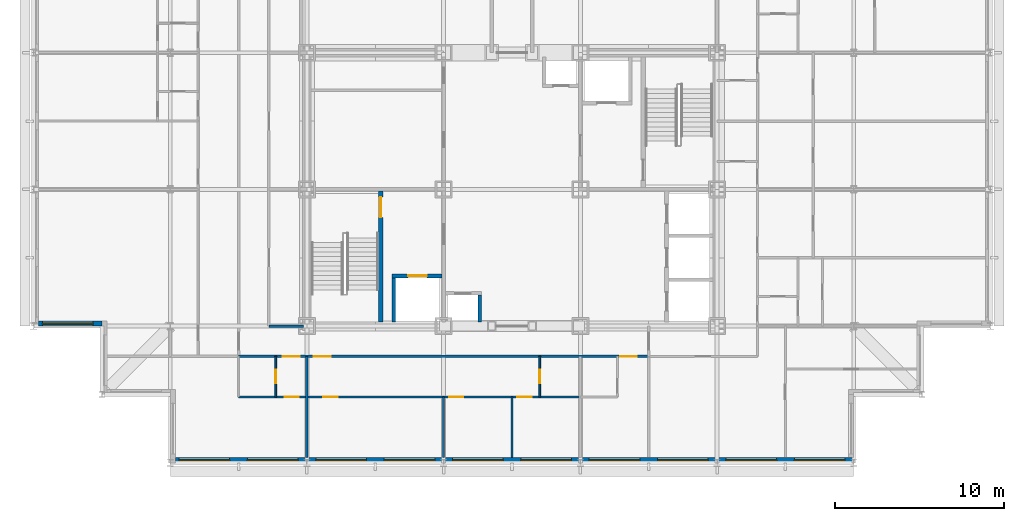
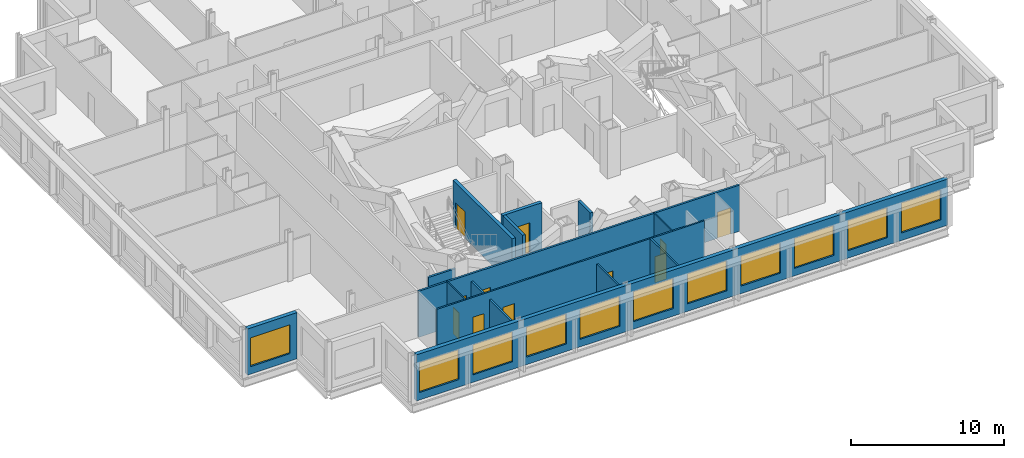
# One storey, part 7 of 15: 14 walls, 11 doors, 11 windows, 22 openings.
"""IFC4 building model written with IfcOpenShell, lengths in metres."""

import ifcopenshell
import ifcopenshell.guid

model = None  # the IFC model being written
_history = None  # IfcOwnerHistory: only IFC2X3 demands one
_inside = {}  # id of a spatial element -> (the spatial element, [elements in it])
_under = {}  # id of a project, library or spatial element -> (it, [spatial elements below it])
_declared = {}  # id of a project -> (the project, [libraries it declares])
_typed = {}  # id of a type object -> (the type object, [elements of that type])
_made_of = {}  # id of a material, layer set ... -> (it, [elements and type objects made of it])


def new_model(schema):
    """Start an empty IFC model of exactly this schema.

    Asked for "IFC4X3", IfcOpenShell would pick the latest addendum, in which some entities
    have other attributes; the version numbers below select the first issue.
    IFC2X3 requires an IfcOwnerHistory on every rooted entity: one is made here for all.
    """
    global model, _history
    if schema == "IFC4X3":
        model = ifcopenshell.file(schema_version=(4, 3, 0, 0))
    else:
        model = ifcopenshell.file(schema=schema)
    _inside.clear()
    _under.clear()
    _declared.clear()
    _typed.clear()
    _made_of.clear()
    _history = None
    if model.schema == "IFC2X3":
        org = make("IfcOrganization", Name="unknown")
        user = make(
            "IfcPersonAndOrganization",
            ThePerson=make("IfcPerson", FamilyName="unknown"),
            TheOrganization=org,
        )
        app = make(
            "IfcApplication",
            ApplicationDeveloper=org,
            Version="unknown",
            ApplicationFullName="unknown",
            ApplicationIdentifier="unknown",
        )
        _history = make(
            "IfcOwnerHistory",
            OwningUser=user,
            OwningApplication=app,
            ChangeAction="ADDED",
            CreationDate=0,
        )
    return model


def make(cls, **values):
    """One entity of the class cls with the attributes given. An attribute that is None is left unset."""
    return model.create_entity(
        cls, **{name: value for name, value in values.items() if value is not None}
    )


def rooted(cls, **values):
    """An entity with a GlobalId (a new one), such as an element, a storey or a relation."""
    return make(cls, GlobalId=ifcopenshell.guid.new(), OwnerHistory=_history, **values)


def si_unit(unit_type, name, prefix=None):
    """IfcSIUnit, for example si_unit("LENGTHUNIT", "METRE", prefix="MILLI")."""
    return make("IfcSIUnit", UnitType=unit_type, Prefix=prefix, Name=name)


def assignment(units):
    """IfcUnitAssignment: the units of a project."""
    return None if units is None else make("IfcUnitAssignment", Units=units)


def point(xyz):
    """IfcCartesianPoint."""
    return None if xyz is None else make("IfcCartesianPoint", Coordinates=xyz)


def direction(xyz):
    """IfcDirection."""
    return None if xyz is None else make("IfcDirection", DirectionRatios=xyz)


def frame(location, z_axis=None, x_axis=None):
    """IfcAxis2Placement3D, a coordinate frame: its origin and axes. An axis left out is left unset."""
    return make(
        "IfcAxis2Placement3D",
        Location=point(location),
        Axis=direction(z_axis),
        RefDirection=direction(x_axis),
    )


def frame_2d(location, x_axis=None):
    """IfcAxis2Placement2D, a coordinate frame in the plane: its origin and x axis."""
    return make(
        "IfcAxis2Placement2D", Location=point(location), RefDirection=direction(x_axis)
    )


def origin():
    """The frame at (0, 0, 0) with its axes left unset."""
    return frame((0.0, 0.0, 0.0))


def place(relative_to, where):
    """IfcLocalPlacement: puts the frame where relative to a parent placement (None: the world)."""
    return make(
        "IfcLocalPlacement", PlacementRelTo=relative_to, RelativePlacement=where
    )


def context(
    kind, dimensions, precision=None, world=None, true_north=None, identifier=None
):
    """IfcGeometricRepresentationContext, for example the 3D "Model" context."""
    return make(
        "IfcGeometricRepresentationContext",
        ContextIdentifier=identifier,
        ContextType=kind,
        CoordinateSpaceDimension=dimensions,
        Precision=precision,
        WorldCoordinateSystem=world,
        TrueNorth=true_north,
    )


def subcontext(parent, identifier, kind, view, scale=None):
    """IfcGeometricRepresentationSubContext, for example "Body" below "Model"."""
    return make(
        "IfcGeometricRepresentationSubContext",
        ContextIdentifier=identifier,
        ContextType=kind,
        ParentContext=parent,
        TargetScale=scale,
        TargetView=view,
    )


def project(units=None, contexts=None):
    """IfcProject with its units and contexts."""
    return rooted(
        "IfcProject",
        Name="project",
        RepresentationContexts=contexts,
        UnitsInContext=assignment(units),
    )


def spatial(cls, under=None, at=None, **own):
    """A site, building, storey or space (cls), placed at a placement, below another one or the project."""
    s = rooted(cls, ObjectPlacement=at, **own)
    if under is not None:
        _under.setdefault(under.id(), (under, []))[1].append(s)
    return s


def profile(cls, at=None, kind="AREA", **sizes):
    """A parametric profile (cls). Its sizes go by their IFC names, for example OverallWidth=200.0."""
    return make(cls, ProfileType=kind, Position=at, **sizes)


def rectangle(**sizes):
    """IfcRectangleProfileDef."""
    return profile("IfcRectangleProfileDef", **sizes)


def extrude(swept, where, along, depth):
    """IfcExtrudedAreaSolid: the profile swept, set in the frame where, extruded along a direction by depth."""
    return make(
        "IfcExtrudedAreaSolid",
        SweptArea=swept,
        Position=where,
        ExtrudedDirection=direction(along),
        Depth=depth,
    )


def shape(context_of_items, identifier, shape_type, items):
    """IfcShapeRepresentation: the items that make up one representation, for example the "Body"."""
    return make(
        "IfcShapeRepresentation",
        ContextOfItems=context_of_items,
        RepresentationIdentifier=identifier,
        RepresentationType=shape_type,
        Items=items,
    )


def material(Name=None, Category=None):
    """IfcMaterial."""
    return make("IfcMaterial", Name=Name, Category=Category)


def layer(
    of_material, thickness, ventilated=None, Name=None, Category=None, Priority=None
):
    """IfcMaterialLayer: one layer of a wall or slab, of a material (None: an air gap)."""
    return make(
        "IfcMaterialLayer",
        Material=of_material,
        LayerThickness=thickness,
        IsVentilated=ventilated,
        Name=Name,
        Category=Category,
        Priority=Priority,
    )


def layer_set(layers, Name=None):
    """IfcMaterialLayerSet."""
    return make("IfcMaterialLayerSet", MaterialLayers=layers, LayerSetName=Name)


def made_of(thing, what):
    """Note that an element or type object is made of a material, layer set ...; save() writes the relation."""
    if what is not None:
        _made_of.setdefault(what.id(), (what, []))[1].append(thing)
    return thing


def type_object(cls, material=None, **own):
    """A type object (cls), such as IfcWallType, which elements share."""
    return made_of(rooted(cls, **own), material)


def element(
    cls,
    number,
    at=None,
    inside=None,
    cuts=None,
    type_object=None,
    material=None,
    context=None,
    identifier="Body",
    shape_type=None,
    held_by="IfcProductDefinitionShape",
    body=None,
    shapes=None,
    **own,
):
    """One element of the class cls, such as IfcWall. Its Tag is "e" and its number.

    at: its placement. inside: the storey or other place that contains it. cuts: it is an
    opening in that element (IfcRelVoidsElement). A single representation is given by context,
    identifier, shape_type and body (its items); several are given by shapes. held_by: the class
    of the entity that holds the representations. save() writes the other relations.
    """
    e = rooted(cls, Tag="e%d" % number, ObjectPlacement=at, **own)
    if body is not None:
        shapes = [shape(context, identifier, shape_type, body)]
    if shapes is not None:
        e.Representation = make(held_by, Representations=shapes)
    if inside is not None:
        _inside.setdefault(inside.id(), (inside, []))[1].append(e)
    if cuts is not None:
        rooted(
            "IfcRelVoidsElement", RelatingBuildingElement=cuts, RelatedOpeningElement=e
        )
    if type_object is not None:
        _typed.setdefault(type_object.id(), (type_object, []))[1].append(e)
    return made_of(e, material)


def fill(opening, filler):
    """IfcRelFillsElement: the door or window that sits in an opening."""
    return rooted(
        "IfcRelFillsElement",
        RelatingOpeningElement=opening,
        RelatedBuildingElement=filler,
    )


def aggregate(whole, parts):
    """IfcRelAggregates: a whole, such as a stair, and the parts it consists of."""
    return rooted("IfcRelAggregates", RelatingObject=whole, RelatedObjects=parts)


def save(model, path):
    """Write the relations noted so far, then the file.

    IfcRelAggregates (storeys below a building ...), IfcRelContainedInSpatialStructure (elements
    in a storey), IfcRelDefinesByType, IfcRelAssociatesMaterial and IfcRelDeclares: one each for
    every whole, place, type object, material and project.
    """
    for whole, parts in _under.values():
        aggregate(whole, parts)
    for where, things in _inside.values():
        rooted(
            "IfcRelContainedInSpatialStructure",
            RelatedElements=things,
            RelatingStructure=where,
        )
    for kind, things in _typed.values():
        rooted("IfcRelDefinesByType", RelatedObjects=things, RelatingType=kind)
    for what, things in _made_of.values():
        rooted("IfcRelAssociatesMaterial", RelatedObjects=things, RelatingMaterial=what)
    for by, libraries in _declared.values():
        rooted("IfcRelDeclares", RelatingContext=by, RelatedDefinitions=libraries)
    model.write(path)


model = new_model("IFC4")

# Units and contexts
model_context = context("Model", 3, precision=1e-05, world=origin(), true_north=direction((0.0, 1.0)))
body_context = subcontext(model_context, "Body", "Model", "MODEL_VIEW")
ifc_project = project(units=[si_unit("LENGTHUNIT", "METRE"), si_unit("AREAUNIT", "SQUARE_METRE"), si_unit("VOLUMEUNIT", "CUBIC_METRE"), si_unit("PLANEANGLEUNIT", "RADIAN"), si_unit("MASSUNIT", "GRAM", prefix="KILO")], contexts=[model_context])

# Site, building, storey
site_placement = place(None, origin())
site = spatial("IfcSite", under=ifc_project, at=site_placement, CompositionType="ELEMENT")
building_placement = place(site_placement, origin())
building = spatial("IfcBuilding", under=site, at=building_placement, Name="Kopane Lantern Tower", CompositionType="ELEMENT")
storey_placement = place(building_placement, frame((0.0, 0.0, 289.199951171875)))
storey = spatial("IfcBuildingStorey", under=building, at=storey_placement, Name="L74", CompositionType="ELEMENT", Elevation=289.199951171875)

# Walls
ifc_material_1 = material(Name="Gypsum board on steel studs", Category="steel")
ifc_layer_1 = layer(ifc_material_1, 0.1201171875)
ifc_layer_set_1 = layer_set([ifc_layer_1], Name="APARTMENT INTERNAL WALL 120")
wall_type_1 = type_object("IfcWallType", Name="APARTMENT INTERNAL WALL 120", PredefinedType="PARTITIONING", material=ifc_layer_set_1)
wall_1_placement = place(storey_placement, frame((24.300048828125, 20.10009765625, 0.0), z_axis=(0.0, 0.0, 1.0), x_axis=(0.0, -1.0, 0.0)))
element("IfcWall", 1, at=wall_1_placement, inside=storey, type_object=wall_type_1, Name="Apartment Internal Wall 120 L74", PredefinedType="PARTITIONING", context=body_context, shape_type="SweptSolid", body=[
    extrude(rectangle(XDim=3.60009765625, YDim=0.1201171875, at=frame_2d((1.800048828125, 0.0))), origin(), (0.0, 0.0, 1.0), 3.077880859375),
])
wall_2_placement = place(storey_placement, frame((28.35009765625, 20.10009765625, 0.0), z_axis=(0.0, 0.0, 1.0), x_axis=(0.0, -1.0, 0.0)))
element("IfcWall", 2, at=wall_2_placement, inside=storey, type_object=wall_type_1, Name="Apartment Internal Wall 120 L74", PredefinedType="PARTITIONING", context=body_context, shape_type="SweptSolid", body=[
    extrude(rectangle(XDim=3.60009765625, YDim=0.1201171875, at=frame_2d((1.800048828125, 0.0))), origin(), (0.0, 0.0, 1.0), 3.68994140625),
])

# Wall, openings, doors
wall_3_placement = place(storey_placement, frame((12.14990234375, 20.10009765625, 0.0), z_axis=(0.0, 0.0, 1.0), x_axis=(1.0, 0.0, 0.0)))
wall_3 = element("IfcWall", 3, at=wall_3_placement, inside=storey, type_object=wall_type_1, Name="Apartment Internal Wall 120 L74", PredefinedType="PARTITIONING", context=body_context, shape_type="SweptSolid", body=[
    extrude(rectangle(XDim=20.25, YDim=0.1201171875, at=frame_2d((10.125, 0.0))), origin(), (0.0, 0.0, 1.0), 3.68994140625),
])
opening_1_placement = place(wall_3_placement, frame((5.02490234375, 0.0, 0.0)))
opening_1 = element("IfcOpeningElement", 4, at=opening_1_placement, cuts=wall_3, Name="Opening L74-008", PredefinedType="OPENING", context=body_context, shape_type="SweptSolid", body=[
    extrude(rectangle(XDim=0.85009765625, YDim=2.10009765625, at=frame_2d((0.425048828125, 1.050048828125))), frame((0.0, 0.070068359375, 0.0), z_axis=(0.0, -1.0, 0.0), x_axis=(1.0, 0.0, 0.0)), (0.0, 0.0, 1.0), 0.14013671875),
])
opening_2_placement = place(wall_3_placement, frame((12.47509765625, 0.0, 0.0)))
opening_2 = element("IfcOpeningElement", 5, at=opening_2_placement, cuts=wall_3, Name="Opening L74-009", PredefinedType="OPENING", context=body_context, shape_type="SweptSolid", body=[
    extrude(rectangle(XDim=0.85009765625, YDim=2.10009765625, at=frame_2d((0.425048828125, 1.050048828125))), frame((0.0, 0.070068359375, 0.0), z_axis=(0.0, -1.0, 0.0), x_axis=(1.0, 0.0, 0.0)), (0.0, 0.0, 1.0), 0.14013671875),
])
opening_3_placement = place(wall_3_placement, frame((16.52490234375, 0.0, 0.0)))
opening_3 = element("IfcOpeningElement", 6, at=opening_3_placement, cuts=wall_3, Name="Opening L74-010", PredefinedType="OPENING", context=body_context, shape_type="SweptSolid", body=[
    extrude(rectangle(XDim=0.85009765625, YDim=2.10009765625, at=frame_2d((0.425048828125, 1.050048828125))), frame((0.0, 0.070068359375, 0.0), z_axis=(0.0, -1.0, 0.0), x_axis=(1.0, 0.0, 0.0)), (0.0, 0.0, 1.0), 0.14013671875),
])
opening_4_placement = place(wall_3_placement, frame((2.72509765625, 0.0, 0.0)))
opening_4 = element("IfcOpeningElement", 7, at=opening_4_placement, cuts=wall_3, Name="Opening L74-032", PredefinedType="OPENING", context=body_context, shape_type="SweptSolid", body=[
    extrude(rectangle(XDim=0.85009765625, YDim=2.10009765625, at=frame_2d((0.425048828125, 1.050048828125))), frame((0.0, 0.070068359375, 0.0), z_axis=(0.0, -1.0, 0.0), x_axis=(1.0, 0.0, 0.0)), (0.0, 0.0, 1.0), 0.14013671875),
])
ifc_material_2 = material(Name="Timber door set", Category="wood")
door_type_1 = type_object("IfcDoorType", Name="DOOR D4 850x2100", OperationType="SINGLE_SWING_LEFT", PredefinedType="DOOR", material=ifc_material_2)
door_1_placement = place(opening_1_placement, origin())
door_1 = element("IfcDoor", 8, at=door_1_placement, inside=storey, type_object=door_type_1, Name="Door L74-008", OperationType="SINGLE_SWING_LEFT", OverallHeight=2.10009765625, OverallWidth=0.85009765625, PredefinedType="DOOR", context=body_context, shape_type="SweptSolid", body=[
    extrude(rectangle(XDim=0.85009765625, YDim=2.10009765625, at=frame_2d((0.425048828125, 1.050048828125))), frame((0.0, 0.02490234375, 0.0), z_axis=(0.0, -1.0, 0.0), x_axis=(1.0, 0.0, 0.0)), (0.0, 0.0, 1.0), 0.050048828125),
])
fill(opening_1, door_1)
door_2_placement = place(opening_2_placement, origin())
door_2 = element("IfcDoor", 9, at=door_2_placement, inside=storey, type_object=door_type_1, Name="Door L74-009", OperationType="SINGLE_SWING_RIGHT", OverallHeight=2.10009765625, OverallWidth=0.85009765625, PredefinedType="DOOR", context=body_context, shape_type="SweptSolid", body=[
    extrude(rectangle(XDim=0.85009765625, YDim=2.10009765625, at=frame_2d((0.425048828125, 1.050048828125))), frame((0.0, 0.02490234375, 0.0), z_axis=(0.0, -1.0, 0.0), x_axis=(1.0, 0.0, 0.0)), (0.0, 0.0, 1.0), 0.050048828125),
])
fill(opening_2, door_2)
door_3_placement = place(opening_3_placement, origin())
door_3 = element("IfcDoor", 10, at=door_3_placement, inside=storey, type_object=door_type_1, Name="Door L74-010", OperationType="SINGLE_SWING_RIGHT", OverallHeight=2.10009765625, OverallWidth=0.85009765625, PredefinedType="DOOR", context=body_context, shape_type="SweptSolid", body=[
    extrude(rectangle(XDim=0.85009765625, YDim=2.10009765625, at=frame_2d((0.425048828125, 1.050048828125))), frame((0.0, 0.02490234375, 0.0), z_axis=(0.0, -1.0, 0.0), x_axis=(1.0, 0.0, 0.0)), (0.0, 0.0, 1.0), 0.050048828125),
])
fill(opening_3, door_3)
door_4_placement = place(opening_4_placement, origin())
door_4 = element("IfcDoor", 11, at=door_4_placement, inside=storey, type_object=door_type_1, Name="Door L74-032", OperationType="SINGLE_SWING_LEFT", OverallHeight=2.10009765625, OverallWidth=0.85009765625, PredefinedType="DOOR", context=body_context, shape_type="SweptSolid", body=[
    extrude(rectangle(XDim=0.85009765625, YDim=2.10009765625, at=frame_2d((0.425048828125, 1.050048828125))), frame((0.0, 0.02490234375, 0.0), z_axis=(0.0, -1.0, 0.0), x_axis=(1.0, 0.0, 0.0)), (0.0, 0.0, 1.0), 0.050048828125),
])
fill(opening_4, door_4)

# Wall, opening, door
ifc_material_3 = material(Name="Moisture-resistant board on steel studs", Category="steel")
ifc_layer_2 = layer(ifc_material_3, 0.10009765625)
ifc_layer_set_2 = layer_set([ifc_layer_2], Name="BATHROOM WALL 100")
wall_type_2 = type_object("IfcWallType", Name="BATHROOM WALL 100", PredefinedType="PARTITIONING", material=ifc_layer_set_2)
wall_4_placement = place(storey_placement, frame((30.0, 22.5, 0.0), z_axis=(0.0, 0.0, 1.0), x_axis=(0.0, -1.0, 0.0)))
wall_4 = element("IfcWall", 12, at=wall_4_placement, inside=storey, type_object=wall_type_2, Name="Bathroom Wall 100 L74", PredefinedType="PARTITIONING", context=body_context, shape_type="SweptSolid", body=[
    extrude(rectangle(XDim=2.39990234375, YDim=0.10009765625, at=frame_2d((1.199951171875, 0.0))), origin(), (0.0, 0.0, 1.0), 3.68994140625),
])
opening_5_placement = place(wall_4_placement, frame((0.800048828125, 0.0, 0.0)))
opening_5 = element("IfcOpeningElement", 13, at=opening_5_placement, cuts=wall_4, Name="Opening L74-006", PredefinedType="OPENING", context=body_context, shape_type="SweptSolid", body=[
    extrude(rectangle(XDim=0.800048828125, YDim=2.10009765625, at=frame_2d((0.39990234375, 1.050048828125))), frame((0.0, 0.06005859375, 0.0), z_axis=(0.0, -1.0, 0.0), x_axis=(1.0, 0.0, 0.0)), (0.0, 0.0, 1.0), 0.1201171875),
])
ifc_material_4 = material(Name="Timber door set", Category="wood")
door_type_2 = type_object("IfcDoorType", Name="DOOR D2 800x2100", OperationType="SINGLE_SWING_LEFT", PredefinedType="DOOR", material=ifc_material_4)
door_5_placement = place(opening_5_placement, origin())
door_5 = element("IfcDoor", 14, at=door_5_placement, inside=storey, type_object=door_type_2, Name="Door L74-006", OperationType="SINGLE_SWING_LEFT", OverallHeight=2.10009765625, OverallWidth=0.800048828125, PredefinedType="DOOR", context=body_context, shape_type="SweptSolid", body=[
    extrude(rectangle(XDim=0.800048828125, YDim=2.10009765625, at=frame_2d((0.39990234375, 1.050048828125))), frame((0.0, 0.02490234375, 0.0), z_axis=(0.0, -1.0, 0.0), x_axis=(1.0, 0.0, 0.0)), (0.0, 0.0, 1.0), 0.050048828125),
])
fill(opening_5, door_5)

wall_5_placement = place(storey_placement, frame((14.35009765625, 22.5, 0.0), z_axis=(0.0, 0.0, 1.0), x_axis=(0.0, -1.0, 0.0)))
wall_5 = element("IfcWall", 15, at=wall_5_placement, inside=storey, type_object=wall_type_2, Name="Bathroom Wall 100 L74", PredefinedType="PARTITIONING", context=body_context, shape_type="SweptSolid", body=[
    extrude(rectangle(XDim=2.39990234375, YDim=0.10009765625, at=frame_2d((1.199951171875, 0.0))), origin(), (0.0, 0.0, 1.0), 3.68994140625),
])
opening_6_placement = place(wall_5_placement, frame((0.800048828125, 0.0, 0.0)))
opening_6 = element("IfcOpeningElement", 16, at=opening_6_placement, cuts=wall_5, Name="Opening L74-030", PredefinedType="OPENING", context=body_context, shape_type="SweptSolid", body=[
    extrude(rectangle(XDim=0.800048828125, YDim=2.10009765625, at=frame_2d((0.39990234375, 1.050048828125))), frame((0.0, 0.06005859375, 0.0), z_axis=(0.0, -1.0, 0.0), x_axis=(1.0, 0.0, 0.0)), (0.0, 0.0, 1.0), 0.1201171875),
])
door_6_placement = place(opening_6_placement, origin())
door_6 = element("IfcDoor", 17, at=door_6_placement, inside=storey, type_object=door_type_2, Name="Door L74-030", OperationType="SINGLE_SWING_RIGHT", OverallHeight=2.10009765625, OverallWidth=0.800048828125, PredefinedType="DOOR", context=body_context, shape_type="SweptSolid", body=[
    extrude(rectangle(XDim=0.800048828125, YDim=2.10009765625, at=frame_2d((0.39990234375, 1.050048828125))), frame((0.0, 0.02490234375, 0.0), z_axis=(0.0, -1.0, 0.0), x_axis=(1.0, 0.0, 0.0)), (0.0, 0.0, 1.0), 0.050048828125),
])
fill(opening_6, door_6)

ifc_material_5 = material(Name="Gypsum shaft wall EI 120", Category="gypsum")
ifc_layer_3 = layer(ifc_material_5, 0.25)
ifc_layer_set_3 = layer_set([ifc_layer_3], Name="CORE SHAFT WALL 250 EI 120")
wall_type_3 = type_object("IfcWallType", Name="CORE SHAFT WALL 250 EI 120", PredefinedType="SOLIDWALL", material=ifc_layer_set_3)
wall_6_placement = place(storey_placement, frame((20.574951171875, 24.550048828125, 0.0), z_axis=(0.0, 0.0, 1.0), x_axis=(0.0, 1.0, 0.0)))
wall_6 = element("IfcWall", 18, at=wall_6_placement, inside=storey, type_object=wall_type_3, Name="Core shaft wall L74 XST1", PredefinedType="SOLIDWALL", context=body_context, shape_type="SweptSolid", body=[
    extrude(rectangle(XDim=7.75, YDim=0.25, at=frame_2d((3.875, 0.0))), origin(), (0.0, 0.0, 1.0), 3.68994140625),
])
opening_7_placement = place(wall_6_placement, frame((6.199951171875, 0.0, 0.0)))
opening_7 = element("IfcOpeningElement", 19, at=opening_7_placement, cuts=wall_6, Name="Opening 74.SD1", PredefinedType="OPENING", context=body_context, shape_type="SweptSolid", body=[
    extrude(rectangle(XDim=1.199951171875, YDim=2.10009765625, at=frame_2d((0.60009765625, 1.050048828125))), frame((0.0, 0.135009765625, 0.0), z_axis=(0.0, -1.0, 0.0), x_axis=(1.0, 0.0, 0.0)), (0.0, 0.0, 1.0), 0.27001953125),
])
ifc_material_6 = material(Name="Steel door set", Category="steel")
door_type_3 = type_object("IfcDoorType", Name="STAIR DOOR 1200x2100 FD60S", OperationType="SINGLE_SWING_LEFT", PredefinedType="DOOR", material=ifc_material_6)
door_7_placement = place(opening_7_placement, origin())
door_7 = element("IfcDoor", 20, at=door_7_placement, inside=storey, type_object=door_type_3, Name="Stair door ST1 L74", OperationType="SINGLE_SWING_LEFT", OverallHeight=2.10009765625, OverallWidth=1.199951171875, PredefinedType="DOOR", context=body_context, shape_type="SweptSolid", body=[
    extrude(rectangle(XDim=1.199951171875, YDim=2.10009765625, at=frame_2d((0.60009765625, 1.050048828125))), frame((0.0, 0.02490234375, 0.0), z_axis=(0.0, -1.0, 0.0), x_axis=(1.0, 0.0, 0.0)), (0.0, 0.0, 1.0), 0.050048828125),
])
fill(opening_7, door_7)

wall_7_placement = place(storey_placement, frame((21.25, 27.27490234375, 0.0), z_axis=(0.0, 0.0, 1.0), x_axis=(1.0, 0.0, 0.0)))
wall_7 = element("IfcWall", 21, at=wall_7_placement, inside=storey, type_object=wall_type_3, Name="Core shaft wall L74 YLF1", PredefinedType="SOLIDWALL", context=body_context, shape_type="SweptSolid", body=[
    extrude(rectangle(XDim=2.949951171875, YDim=0.25, at=frame_2d((1.47509765625, 0.0))), origin(), (0.0, 0.0, 1.0), 3.68994140625),
])
opening_8_placement = place(wall_7_placement, frame((0.949951171875, 0.0, 0.0)))
opening_8 = element("IfcOpeningElement", 22, at=opening_8_placement, cuts=wall_7, Name="Opening 74.LD-LF1", PredefinedType="OPENING", context=body_context, shape_type="SweptSolid", body=[
    extrude(rectangle(XDim=1.10009765625, YDim=2.39990234375, at=frame_2d((0.550048828125, 1.199951171875))), frame((0.0, 0.135009765625, 0.0), z_axis=(0.0, -1.0, 0.0), x_axis=(1.0, 0.0, 0.0)), (0.0, 0.0, 1.0), 0.27001953125),
])
ifc_material_7 = material(Name="Steel door set", Category="steel")
door_type_4 = type_object("IfcDoorType", Name="LIFT LANDING DOOR 1100x2400 FD60", OperationType="DOUBLE_DOOR_SLIDING", PredefinedType="DOOR", material=ifc_material_7)
door_8_placement = place(opening_8_placement, origin())
door_8 = element("IfcDoor", 23, at=door_8_placement, inside=storey, type_object=door_type_4, Name="Landing door LF1 L74", OperationType="DOUBLE_DOOR_SLIDING", OverallHeight=2.39990234375, OverallWidth=1.10009765625, PredefinedType="DOOR", context=body_context, shape_type="SweptSolid", body=[
    extrude(rectangle(XDim=1.10009765625, YDim=2.39990234375, at=frame_2d((0.550048828125, 1.199951171875))), frame((0.0, 0.02490234375, 0.0), z_axis=(0.0, -1.0, 0.0), x_axis=(1.0, 0.0, 0.0)), (0.0, 0.0, 1.0), 0.050048828125),
])
fill(opening_8, door_8)

# Wall, openings, doors
ifc_material_8 = material(Name="Gypsum board on steel studs", Category="steel")
ifc_layer_4 = layer(ifc_material_8, 0.14990234375)
ifc_layer_set_4 = layer_set([ifc_layer_4], Name="CORRIDOR WALL 150 EI 60")
wall_type_4 = type_object("IfcWallType", Name="CORRIDOR WALL 150 EI 60", PredefinedType="PARTITIONING", material=ifc_layer_set_4)
wall_8_placement = place(storey_placement, frame((12.14990234375, 22.5, 0.0), z_axis=(0.0, 0.0, 1.0), x_axis=(1.0, 0.0, 0.0)))
wall_8 = element("IfcWall", 24, at=wall_8_placement, inside=storey, type_object=wall_type_4, Name="Corridor Wall 150 Ei 60 L74", PredefinedType="PARTITIONING", context=body_context, shape_type="SweptSolid", body=[
    extrude(rectangle(XDim=24.300048828125, YDim=0.14990234375, at=frame_2d((12.14990234375, 0.0))), origin(), (0.0, 0.0, 1.0), 3.68994140625),
])
opening_9_placement = place(wall_8_placement, frame((4.449951171875, 0.0, 0.0)))
opening_9 = element("IfcOpeningElement", 25, at=opening_9_placement, cuts=wall_8, Name="Opening L74-007", PredefinedType="OPENING", context=body_context, shape_type="SweptSolid", body=[
    extrude(rectangle(XDim=1.0, YDim=2.10009765625, at=frame_2d((0.5, 1.050048828125))), frame((0.0, 0.0849609375, 0.0), z_axis=(0.0, -1.0, 0.0), x_axis=(1.0, 0.0, 0.0)), (0.0, 0.0, 1.0), 0.169921875),
])
opening_10_placement = place(wall_8_placement, frame((22.60009765625, 0.0, 0.0)))
opening_10 = element("IfcOpeningElement", 26, at=opening_10_placement, cuts=wall_8, Name="Opening L74-012", PredefinedType="OPENING", context=body_context, shape_type="SweptSolid", body=[
    extrude(rectangle(XDim=1.0, YDim=2.10009765625, at=frame_2d((0.5, 1.050048828125))), frame((0.0, 0.0849609375, 0.0), z_axis=(0.0, -1.0, 0.0), x_axis=(1.0, 0.0, 0.0)), (0.0, 0.0, 1.0), 0.169921875),
])
opening_11_placement = place(wall_8_placement, frame((2.625, 0.0, 0.0)))
opening_11 = element("IfcOpeningElement", 27, at=opening_11_placement, cuts=wall_8, Name="Opening L74-031", PredefinedType="OPENING", context=body_context, shape_type="SweptSolid", body=[
    extrude(rectangle(XDim=1.0, YDim=2.10009765625, at=frame_2d((0.5, 1.050048828125))), frame((0.0, 0.0849609375, 0.0), z_axis=(0.0, -1.0, 0.0), x_axis=(1.0, 0.0, 0.0)), (0.0, 0.0, 1.0), 0.169921875),
])
ifc_material_9 = material(Name="Steel door set", Category="steel")
door_type_5 = type_object("IfcDoorType", Name="DOOR D3 1000x2100 FD30S", OperationType="SINGLE_SWING_LEFT", PredefinedType="DOOR", material=ifc_material_9)
door_9_placement = place(opening_9_placement, origin())
door_9 = element("IfcDoor", 28, at=door_9_placement, inside=storey, type_object=door_type_5, Name="Door L74-007", OperationType="SINGLE_SWING_RIGHT", OverallHeight=2.10009765625, OverallWidth=1.0, PredefinedType="DOOR", context=body_context, shape_type="SweptSolid", body=[
    extrude(rectangle(XDim=1.0, YDim=2.10009765625, at=frame_2d((0.5, 1.050048828125))), frame((0.0, 0.02490234375, 0.0), z_axis=(0.0, -1.0, 0.0), x_axis=(1.0, 0.0, 0.0)), (0.0, 0.0, 1.0), 0.050048828125),
])
fill(opening_9, door_9)
door_10_placement = place(opening_10_placement, origin())
door_10 = element("IfcDoor", 29, at=door_10_placement, inside=storey, type_object=door_type_5, Name="Door L74-012", OperationType="SINGLE_SWING_RIGHT", OverallHeight=2.10009765625, OverallWidth=1.0, PredefinedType="DOOR", context=body_context, shape_type="SweptSolid", body=[
    extrude(rectangle(XDim=1.0, YDim=2.10009765625, at=frame_2d((0.5, 1.050048828125))), frame((0.0, 0.02490234375, 0.0), z_axis=(0.0, -1.0, 0.0), x_axis=(1.0, 0.0, 0.0)), (0.0, 0.0, 1.0), 0.050048828125),
])
fill(opening_10, door_10)
door_11_placement = place(opening_11_placement, origin())
door_11 = element("IfcDoor", 30, at=door_11_placement, inside=storey, type_object=door_type_5, Name="Door L74-031", OperationType="SINGLE_SWING_RIGHT", OverallHeight=2.10009765625, OverallWidth=1.0, PredefinedType="DOOR", context=body_context, shape_type="SweptSolid", body=[
    extrude(rectangle(XDim=1.0, YDim=2.10009765625, at=frame_2d((0.5, 1.050048828125))), frame((0.0, 0.02490234375, 0.0), z_axis=(0.0, -1.0, 0.0), x_axis=(1.0, 0.0, 0.0)), (0.0, 0.0, 1.0), 0.050048828125),
])
fill(opening_11, door_11)

# Walls
wall_9_placement = place(storey_placement, frame((16.0, 24.300048828125, 0.0), z_axis=(0.0, 0.0, 1.0), x_axis=(-1.0, 0.0, 0.0)))
element("IfcWall", 31, at=wall_9_placement, inside=storey, type_object=wall_type_4, Name="Corridor Wall 150 Ei 60 L74", PredefinedType="PARTITIONING", context=body_context, shape_type="SweptSolid", body=[
    extrude(rectangle(XDim=2.050048828125, YDim=0.14990234375, at=frame_2d((1.02490234375, 0.0))), origin(), (0.0, 0.0, 1.0), 3.077880859375),
])
ifc_material_10 = material(Name="Gypsum board on steel studs", Category="steel")
ifc_layer_5 = layer(ifc_material_10, 0.14990234375)
ifc_layer_set_5 = layer_set([ifc_layer_5], Name="DEMISING WALL 150 EI 60")
wall_type_5 = type_object("IfcWallType", Name="DEMISING WALL 150 EI 60", PredefinedType="PARTITIONING", material=ifc_layer_set_5)
wall_10_placement = place(storey_placement, frame((16.199951171875, 22.5, 0.0), z_axis=(0.0, 0.0, 1.0), x_axis=(0.0, -1.0, 0.0)))
element("IfcWall", 32, at=wall_10_placement, inside=storey, type_object=wall_type_5, Name="Demising Wall 150 Ei 60 L74", PredefinedType="PARTITIONING", context=body_context, shape_type="SweptSolid", body=[
    extrude(rectangle(XDim=6.0, YDim=0.14990234375, at=frame_2d((3.0, 0.0))), origin(), (0.0, 0.0, 1.0), 3.077880859375),
])

# Wall, openings, windows
ifc_material_11 = material(Name="Terracotta rainscreen on light steel framing", Category="masonry")
ifc_layer_6 = layer(ifc_material_11, 0.300048828125)
ifc_layer_set_6 = layer_set([ifc_layer_6], Name="EXTERNAL WALL EW1 300 TERRACOTTA")
wall_type_6 = type_object("IfcWallType", Name="EXTERNAL WALL EW1 300 TERRACOTTA", PredefinedType="SOLIDWALL", material=ifc_layer_set_6)
wall_11_placement = place(storey_placement, frame((8.39990234375, 16.35009765625, 0.0), z_axis=(0.0, 0.0, 1.0), x_axis=(1.0, 0.0, 0.0)))
wall_11 = element("IfcWall", 33, at=wall_11_placement, inside=storey, type_object=wall_type_6, Name="External wall S L74", PredefinedType="SOLIDWALL", context=body_context, shape_type="SweptSolid", body=[
    extrude(rectangle(XDim=40.2001953125, YDim=0.300048828125, at=frame_2d((20.10009765625, 0.0))), origin(), (0.0, 0.0, 1.0), 3.68994140625),
])
opening_12_placement = place(wall_11_placement, frame((0.22509765625, 0.0, 0.60009765625)))
opening_12 = element("IfcOpeningElement", 34, at=opening_12_placement, cuts=wall_11, Name="Opening WR300240", PredefinedType="OPENING", context=body_context, shape_type="SweptSolid", body=[
    extrude(rectangle(XDim=3.0, YDim=2.39990234375, at=frame_2d((1.5, 1.199951171875))), frame((0.0, 0.159912109375, 0.0), z_axis=(0.0, -1.0, 0.0), x_axis=(1.0, 0.0, 0.0)), (0.0, 0.0, 1.0), 0.320068359375),
])
opening_13_placement = place(wall_11_placement, frame((4.27490234375, 0.0, 0.60009765625)))
opening_13 = element("IfcOpeningElement", 35, at=opening_13_placement, cuts=wall_11, Name="Opening WR300240", PredefinedType="OPENING", context=body_context, shape_type="SweptSolid", body=[
    extrude(rectangle(XDim=3.0, YDim=2.39990234375, at=frame_2d((1.5, 1.199951171875))), frame((0.0, 0.159912109375, 0.0), z_axis=(0.0, -1.0, 0.0), x_axis=(1.0, 0.0, 0.0)), (0.0, 0.0, 1.0), 0.320068359375),
])
opening_14_placement = place(wall_11_placement, frame((8.324951171875, 0.0, 0.60009765625)))
opening_14 = element("IfcOpeningElement", 36, at=opening_14_placement, cuts=wall_11, Name="Opening WR300240", PredefinedType="OPENING", context=body_context, shape_type="SweptSolid", body=[
    extrude(rectangle(XDim=3.0, YDim=2.39990234375, at=frame_2d((1.5, 1.199951171875))), frame((0.0, 0.159912109375, 0.0), z_axis=(0.0, -1.0, 0.0), x_axis=(1.0, 0.0, 0.0)), (0.0, 0.0, 1.0), 0.320068359375),
])
opening_15_placement = place(wall_11_placement, frame((12.375, 0.0, 0.60009765625)))
opening_15 = element("IfcOpeningElement", 37, at=opening_15_placement, cuts=wall_11, Name="Opening WR300240", PredefinedType="OPENING", context=body_context, shape_type="SweptSolid", body=[
    extrude(rectangle(XDim=3.0, YDim=2.39990234375, at=frame_2d((1.5, 1.199951171875))), frame((0.0, 0.159912109375, 0.0), z_axis=(0.0, -1.0, 0.0), x_axis=(1.0, 0.0, 0.0)), (0.0, 0.0, 1.0), 0.320068359375),
])
opening_16_placement = place(wall_11_placement, frame((16.425048828125, 0.0, 0.60009765625)))
opening_16 = element("IfcOpeningElement", 38, at=opening_16_placement, cuts=wall_11, Name="Opening WR300240", PredefinedType="OPENING", context=body_context, shape_type="SweptSolid", body=[
    extrude(rectangle(XDim=3.0, YDim=2.39990234375, at=frame_2d((1.5, 1.199951171875))), frame((0.0, 0.159912109375, 0.0), z_axis=(0.0, -1.0, 0.0), x_axis=(1.0, 0.0, 0.0)), (0.0, 0.0, 1.0), 0.320068359375),
])
opening_17_placement = place(wall_11_placement, frame((20.47509765625, 0.0, 0.60009765625)))
opening_17 = element("IfcOpeningElement", 39, at=opening_17_placement, cuts=wall_11, Name="Opening WR300240", PredefinedType="OPENING", context=body_context, shape_type="SweptSolid", body=[
    extrude(rectangle(XDim=3.0, YDim=2.39990234375, at=frame_2d((1.5, 1.199951171875))), frame((0.0, 0.159912109375, 0.0), z_axis=(0.0, -1.0, 0.0), x_axis=(1.0, 0.0, 0.0)), (0.0, 0.0, 1.0), 0.320068359375),
])
opening_18_placement = place(wall_11_placement, frame((24.52490234375, 0.0, 0.60009765625)))
opening_18 = element("IfcOpeningElement", 40, at=opening_18_placement, cuts=wall_11, Name="Opening WR300240", PredefinedType="OPENING", context=body_context, shape_type="SweptSolid", body=[
    extrude(rectangle(XDim=3.0, YDim=2.39990234375, at=frame_2d((1.5, 1.199951171875))), frame((0.0, 0.159912109375, 0.0), z_axis=(0.0, -1.0, 0.0), x_axis=(1.0, 0.0, 0.0)), (0.0, 0.0, 1.0), 0.320068359375),
])
opening_19_placement = place(wall_11_placement, frame((28.574951171875, 0.0, 0.60009765625)))
opening_19 = element("IfcOpeningElement", 41, at=opening_19_placement, cuts=wall_11, Name="Opening WR300240", PredefinedType="OPENING", context=body_context, shape_type="SweptSolid", body=[
    extrude(rectangle(XDim=3.0, YDim=2.39990234375, at=frame_2d((1.5, 1.199951171875))), frame((0.0, 0.159912109375, 0.0), z_axis=(0.0, -1.0, 0.0), x_axis=(1.0, 0.0, 0.0)), (0.0, 0.0, 1.0), 0.320068359375),
])
opening_20_placement = place(wall_11_placement, frame((32.625, 0.0, 0.60009765625)))
opening_20 = element("IfcOpeningElement", 42, at=opening_20_placement, cuts=wall_11, Name="Opening WR300240", PredefinedType="OPENING", context=body_context, shape_type="SweptSolid", body=[
    extrude(rectangle(XDim=3.0, YDim=2.39990234375, at=frame_2d((1.5, 1.199951171875))), frame((0.0, 0.159912109375, 0.0), z_axis=(0.0, -1.0, 0.0), x_axis=(1.0, 0.0, 0.0)), (0.0, 0.0, 1.0), 0.320068359375),
])
opening_21_placement = place(wall_11_placement, frame((36.675048828125, 0.0, 0.60009765625)))
opening_21 = element("IfcOpeningElement", 43, at=opening_21_placement, cuts=wall_11, Name="Opening WR300240", PredefinedType="OPENING", context=body_context, shape_type="SweptSolid", body=[
    extrude(rectangle(XDim=3.0, YDim=2.39990234375, at=frame_2d((1.5, 1.199951171875))), frame((0.0, 0.159912109375, 0.0), z_axis=(0.0, -1.0, 0.0), x_axis=(1.0, 0.0, 0.0)), (0.0, 0.0, 1.0), 0.320068359375),
])
ifc_material_12 = material(Name="Aluminium and clear glass", Category="aluminium")
window_type_1 = type_object("IfcWindowType", Name="RIBBON WINDOW WR300240 3000x2400", PartitioningType="SINGLE_PANEL", PredefinedType="WINDOW", material=ifc_material_12)
window_1_placement = place(opening_12_placement, origin())
window_1 = element("IfcWindow", 44, at=window_1_placement, inside=storey, type_object=window_type_1, Name="Window S L74", OverallHeight=2.39990234375, OverallWidth=3.0, PartitioningType="SINGLE_PANEL", PredefinedType="WINDOW", context=body_context, shape_type="SweptSolid", body=[
    extrude(rectangle(XDim=3.0, YDim=2.39990234375, at=frame_2d((1.5, 1.199951171875))), frame((0.0, 0.030029296875, 0.0), z_axis=(0.0, -1.0, 0.0), x_axis=(1.0, 0.0, 0.0)), (0.0, 0.0, 1.0), 0.06005859375),
])
fill(opening_12, window_1)
window_2_placement = place(opening_13_placement, origin())
window_2 = element("IfcWindow", 45, at=window_2_placement, inside=storey, type_object=window_type_1, Name="Window S L74", OverallHeight=2.39990234375, OverallWidth=3.0, PartitioningType="SINGLE_PANEL", PredefinedType="WINDOW", context=body_context, shape_type="SweptSolid", body=[
    extrude(rectangle(XDim=3.0, YDim=2.39990234375, at=frame_2d((1.5, 1.199951171875))), frame((0.0, 0.030029296875, 0.0), z_axis=(0.0, -1.0, 0.0), x_axis=(1.0, 0.0, 0.0)), (0.0, 0.0, 1.0), 0.06005859375),
])
fill(opening_13, window_2)
window_3_placement = place(opening_14_placement, origin())
window_3 = element("IfcWindow", 46, at=window_3_placement, inside=storey, type_object=window_type_1, Name="Window S L74", OverallHeight=2.39990234375, OverallWidth=3.0, PartitioningType="SINGLE_PANEL", PredefinedType="WINDOW", context=body_context, shape_type="SweptSolid", body=[
    extrude(rectangle(XDim=3.0, YDim=2.39990234375, at=frame_2d((1.5, 1.199951171875))), frame((0.0, 0.030029296875, 0.0), z_axis=(0.0, -1.0, 0.0), x_axis=(1.0, 0.0, 0.0)), (0.0, 0.0, 1.0), 0.06005859375),
])
fill(opening_14, window_3)
window_4_placement = place(opening_15_placement, origin())
window_4 = element("IfcWindow", 47, at=window_4_placement, inside=storey, type_object=window_type_1, Name="Window S L74", OverallHeight=2.39990234375, OverallWidth=3.0, PartitioningType="SINGLE_PANEL", PredefinedType="WINDOW", context=body_context, shape_type="SweptSolid", body=[
    extrude(rectangle(XDim=3.0, YDim=2.39990234375, at=frame_2d((1.5, 1.199951171875))), frame((0.0, 0.030029296875, 0.0), z_axis=(0.0, -1.0, 0.0), x_axis=(1.0, 0.0, 0.0)), (0.0, 0.0, 1.0), 0.06005859375),
])
fill(opening_15, window_4)
window_5_placement = place(opening_16_placement, origin())
window_5 = element("IfcWindow", 48, at=window_5_placement, inside=storey, type_object=window_type_1, Name="Window S L74", OverallHeight=2.39990234375, OverallWidth=3.0, PartitioningType="SINGLE_PANEL", PredefinedType="WINDOW", context=body_context, shape_type="SweptSolid", body=[
    extrude(rectangle(XDim=3.0, YDim=2.39990234375, at=frame_2d((1.5, 1.199951171875))), frame((0.0, 0.030029296875, 0.0), z_axis=(0.0, -1.0, 0.0), x_axis=(1.0, 0.0, 0.0)), (0.0, 0.0, 1.0), 0.06005859375),
])
fill(opening_16, window_5)
window_6_placement = place(opening_17_placement, origin())
window_6 = element("IfcWindow", 49, at=window_6_placement, inside=storey, type_object=window_type_1, Name="Window S L74", OverallHeight=2.39990234375, OverallWidth=3.0, PartitioningType="SINGLE_PANEL", PredefinedType="WINDOW", context=body_context, shape_type="SweptSolid", body=[
    extrude(rectangle(XDim=3.0, YDim=2.39990234375, at=frame_2d((1.5, 1.199951171875))), frame((0.0, 0.030029296875, 0.0), z_axis=(0.0, -1.0, 0.0), x_axis=(1.0, 0.0, 0.0)), (0.0, 0.0, 1.0), 0.06005859375),
])
fill(opening_17, window_6)
window_7_placement = place(opening_18_placement, origin())
window_7 = element("IfcWindow", 50, at=window_7_placement, inside=storey, type_object=window_type_1, Name="Window S L74", OverallHeight=2.39990234375, OverallWidth=3.0, PartitioningType="SINGLE_PANEL", PredefinedType="WINDOW", context=body_context, shape_type="SweptSolid", body=[
    extrude(rectangle(XDim=3.0, YDim=2.39990234375, at=frame_2d((1.5, 1.199951171875))), frame((0.0, 0.030029296875, 0.0), z_axis=(0.0, -1.0, 0.0), x_axis=(1.0, 0.0, 0.0)), (0.0, 0.0, 1.0), 0.06005859375),
])
fill(opening_18, window_7)
window_8_placement = place(opening_19_placement, origin())
window_8 = element("IfcWindow", 51, at=window_8_placement, inside=storey, type_object=window_type_1, Name="Window S L74", OverallHeight=2.39990234375, OverallWidth=3.0, PartitioningType="SINGLE_PANEL", PredefinedType="WINDOW", context=body_context, shape_type="SweptSolid", body=[
    extrude(rectangle(XDim=3.0, YDim=2.39990234375, at=frame_2d((1.5, 1.199951171875))), frame((0.0, 0.030029296875, 0.0), z_axis=(0.0, -1.0, 0.0), x_axis=(1.0, 0.0, 0.0)), (0.0, 0.0, 1.0), 0.06005859375),
])
fill(opening_19, window_8)
window_9_placement = place(opening_20_placement, origin())
window_9 = element("IfcWindow", 52, at=window_9_placement, inside=storey, type_object=window_type_1, Name="Window S L74", OverallHeight=2.39990234375, OverallWidth=3.0, PartitioningType="SINGLE_PANEL", PredefinedType="WINDOW", context=body_context, shape_type="SweptSolid", body=[
    extrude(rectangle(XDim=3.0, YDim=2.39990234375, at=frame_2d((1.5, 1.199951171875))), frame((0.0, 0.030029296875, 0.0), z_axis=(0.0, -1.0, 0.0), x_axis=(1.0, 0.0, 0.0)), (0.0, 0.0, 1.0), 0.06005859375),
])
fill(opening_20, window_9)
window_10_placement = place(opening_21_placement, origin())
window_10 = element("IfcWindow", 53, at=window_10_placement, inside=storey, type_object=window_type_1, Name="Window S L74", OverallHeight=2.39990234375, OverallWidth=3.0, PartitioningType="SINGLE_PANEL", PredefinedType="WINDOW", context=body_context, shape_type="SweptSolid", body=[
    extrude(rectangle(XDim=3.0, YDim=2.39990234375, at=frame_2d((1.5, 1.199951171875))), frame((0.0, 0.030029296875, 0.0), z_axis=(0.0, -1.0, 0.0), x_axis=(1.0, 0.0, 0.0)), (0.0, 0.0, 1.0), 0.06005859375),
])
fill(opening_21, window_10)

# Wall, opening, window
wall_12_placement = place(storey_placement, frame((0.300048828125, 24.449951171875, 0.0), z_axis=(0.0, 0.0, 1.0), x_axis=(1.0, 0.0, 0.0)))
wall_12 = element("IfcWall", 54, at=wall_12_placement, inside=storey, type_object=wall_type_6, Name="External wall S L74", PredefinedType="SOLIDWALL", context=body_context, shape_type="SweptSolid", body=[
    extrude(rectangle(XDim=3.75, YDim=0.300048828125, at=frame_2d((1.875, 0.0))), origin(), (0.0, 0.0, 1.0), 3.68994140625),
])
opening_22_placement = place(wall_12_placement, frame((0.22509765625, 0.0, 0.60009765625)))
opening_22 = element("IfcOpeningElement", 55, at=opening_22_placement, cuts=wall_12, Name="Opening WR300230", PredefinedType="OPENING", context=body_context, shape_type="SweptSolid", body=[
    extrude(rectangle(XDim=3.0, YDim=2.300048828125, at=frame_2d((1.5, 1.14990234375))), frame((0.0, 0.159912109375, 0.0), z_axis=(0.0, -1.0, 0.0), x_axis=(1.0, 0.0, 0.0)), (0.0, 0.0, 1.0), 0.320068359375),
])
ifc_material_13 = material(Name="Aluminium and clear glass", Category="aluminium")
window_type_2 = type_object("IfcWindowType", Name="RIBBON WINDOW WR300230 3000x2300", PartitioningType="SINGLE_PANEL", PredefinedType="WINDOW", material=ifc_material_13)
window_11_placement = place(opening_22_placement, origin())
window_11 = element("IfcWindow", 56, at=window_11_placement, inside=storey, type_object=window_type_2, Name="Window S L74", OverallHeight=2.300048828125, OverallWidth=3.0, PartitioningType="SINGLE_PANEL", PredefinedType="WINDOW", context=body_context, shape_type="SweptSolid", body=[
    extrude(rectangle(XDim=3.0, YDim=2.300048828125, at=frame_2d((1.5, 1.14990234375))), frame((0.0, 0.030029296875, 0.0), z_axis=(0.0, -1.0, 0.0), x_axis=(1.0, 0.0, 0.0)), (0.0, 0.0, 1.0), 0.06005859375),
])
fill(opening_22, window_11)

# Walls
ifc_material_14 = material(Name="Gypsum shaft wall EI 120", Category="gypsum")
ifc_layer_7 = layer(ifc_material_14, 0.199951171875)
ifc_layer_set_7 = layer_set([ifc_layer_7], Name="SHAFT WALL 200 EI 120")
wall_type_7 = type_object("IfcWallType", Name="SHAFT WALL 200 EI 120", PredefinedType="SOLIDWALL", material=ifc_layer_set_7)
wall_13_placement = place(storey_placement, frame((21.35009765625, 24.550048828125, 0.0), z_axis=(0.0, 0.0, 1.0), x_axis=(0.0, 1.0, 0.0)))
element("IfcWall", 57, at=wall_13_placement, inside=storey, type_object=wall_type_7, Name="Core shaft wall L74 XLF1", PredefinedType="SOLIDWALL", context=body_context, shape_type="SweptSolid", body=[
    extrude(rectangle(XDim=2.599853515625, YDim=0.199951171875, at=frame_2d((1.2998046875, 0.0))), origin(), (0.0, 0.0, 1.0), 3.68994140625),
])
wall_14_placement = place(storey_placement, frame((26.449951171875, 24.550048828125, 0.0), z_axis=(0.0, 0.0, 1.0), x_axis=(0.0, 1.0, 0.0)))
element("IfcWall", 58, at=wall_14_placement, inside=storey, type_object=wall_type_7, Name="Core shaft wall L74 XRS1", PredefinedType="SOLIDWALL", context=body_context, shape_type="SweptSolid", body=[
    extrude(rectangle(XDim=1.599853515625, YDim=0.199951171875, at=frame_2d((0.7998046875, 0.0))), origin(), (0.0, 0.0, 1.0), 3.68994140625),
])

save(model, "model.ifc")
